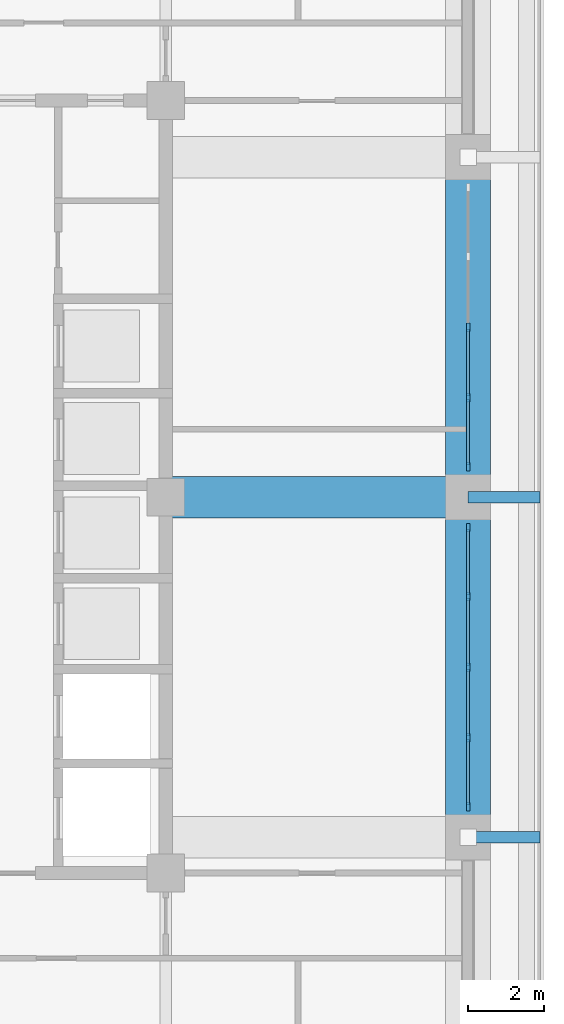
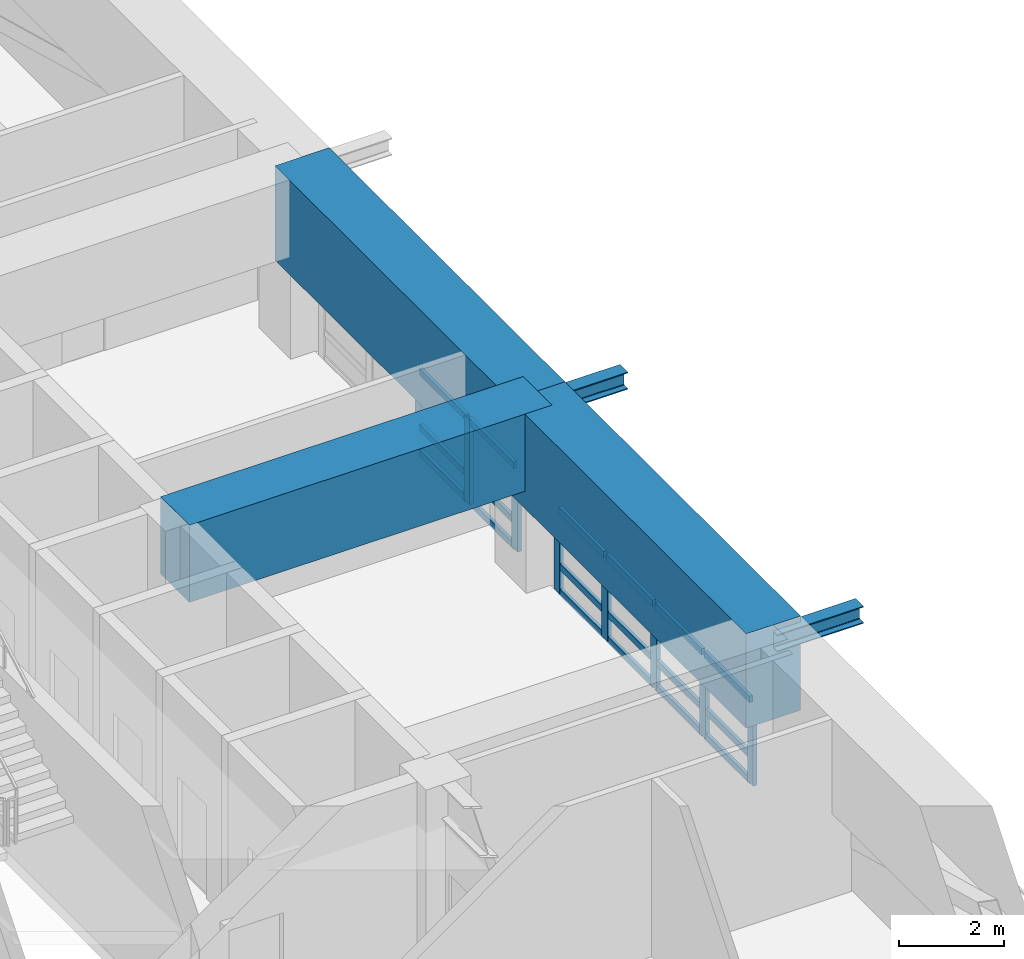
# One storey, part 4 of 21: 26 members, 5 beams, 2 elements without a shape of their own.
"""IFC4 building model written with IfcOpenShell, lengths in metres."""

import ifcopenshell
import ifcopenshell.guid

model = None  # the IFC model being written
_history = None  # IfcOwnerHistory: only IFC2X3 demands one
_inside = {}  # id of a spatial element -> (the spatial element, [elements in it])
_under = {}  # id of a project, library or spatial element -> (it, [spatial elements below it])
_declared = {}  # id of a project -> (the project, [libraries it declares])
_typed = {}  # id of a type object -> (the type object, [elements of that type])
_made_of = {}  # id of a material, layer set ... -> (it, [elements and type objects made of it])


def new_model(schema):
    """Start an empty IFC model of exactly this schema.

    Asked for "IFC4X3", IfcOpenShell would pick the latest addendum, in which some entities
    have other attributes; the version numbers below select the first issue.
    IFC2X3 requires an IfcOwnerHistory on every rooted entity: one is made here for all.
    """
    global model, _history
    if schema == "IFC4X3":
        model = ifcopenshell.file(schema_version=(4, 3, 0, 0))
    else:
        model = ifcopenshell.file(schema=schema)
    _inside.clear()
    _under.clear()
    _declared.clear()
    _typed.clear()
    _made_of.clear()
    _history = None
    if model.schema == "IFC2X3":
        org = make("IfcOrganization", Name="unknown")
        user = make(
            "IfcPersonAndOrganization",
            ThePerson=make("IfcPerson", FamilyName="unknown"),
            TheOrganization=org,
        )
        app = make(
            "IfcApplication",
            ApplicationDeveloper=org,
            Version="unknown",
            ApplicationFullName="unknown",
            ApplicationIdentifier="unknown",
        )
        _history = make(
            "IfcOwnerHistory",
            OwningUser=user,
            OwningApplication=app,
            ChangeAction="ADDED",
            CreationDate=0,
        )
    return model


def make(cls, **values):
    """One entity of the class cls with the attributes given. An attribute that is None is left unset."""
    return model.create_entity(
        cls, **{name: value for name, value in values.items() if value is not None}
    )


def rooted(cls, **values):
    """An entity with a GlobalId (a new one), such as an element, a storey or a relation."""
    return make(cls, GlobalId=ifcopenshell.guid.new(), OwnerHistory=_history, **values)


def si_unit(unit_type, name, prefix=None):
    """IfcSIUnit, for example si_unit("LENGTHUNIT", "METRE", prefix="MILLI")."""
    return make("IfcSIUnit", UnitType=unit_type, Prefix=prefix, Name=name)


def assignment(units):
    """IfcUnitAssignment: the units of a project."""
    return None if units is None else make("IfcUnitAssignment", Units=units)


def point(xyz):
    """IfcCartesianPoint."""
    return None if xyz is None else make("IfcCartesianPoint", Coordinates=xyz)


def direction(xyz):
    """IfcDirection."""
    return None if xyz is None else make("IfcDirection", DirectionRatios=xyz)


def frame(location, z_axis=None, x_axis=None):
    """IfcAxis2Placement3D, a coordinate frame: its origin and axes. An axis left out is left unset."""
    return make(
        "IfcAxis2Placement3D",
        Location=point(location),
        Axis=direction(z_axis),
        RefDirection=direction(x_axis),
    )


def frame_2d(location, x_axis=None):
    """IfcAxis2Placement2D, a coordinate frame in the plane: its origin and x axis."""
    return make(
        "IfcAxis2Placement2D", Location=point(location), RefDirection=direction(x_axis)
    )


def origin():
    """The frame at (0, 0, 0) with its axes left unset."""
    return frame((0.0, 0.0, 0.0))


def origin_2d():
    """The frame at (0, 0) in the plane with its x axis left unset."""
    return frame_2d((0.0, 0.0))


def place(relative_to, where):
    """IfcLocalPlacement: puts the frame where relative to a parent placement (None: the world)."""
    return make(
        "IfcLocalPlacement", PlacementRelTo=relative_to, RelativePlacement=where
    )


def context(
    kind, dimensions, precision=None, world=None, true_north=None, identifier=None
):
    """IfcGeometricRepresentationContext, for example the 3D "Model" context."""
    return make(
        "IfcGeometricRepresentationContext",
        ContextIdentifier=identifier,
        ContextType=kind,
        CoordinateSpaceDimension=dimensions,
        Precision=precision,
        WorldCoordinateSystem=world,
        TrueNorth=true_north,
    )


def subcontext(parent, identifier, kind, view, scale=None):
    """IfcGeometricRepresentationSubContext, for example "Body" below "Model"."""
    return make(
        "IfcGeometricRepresentationSubContext",
        ContextIdentifier=identifier,
        ContextType=kind,
        ParentContext=parent,
        TargetScale=scale,
        TargetView=view,
    )


def project(units=None, contexts=None):
    """IfcProject with its units and contexts."""
    return rooted(
        "IfcProject",
        Name="project",
        RepresentationContexts=contexts,
        UnitsInContext=assignment(units),
    )


def spatial(cls, under=None, at=None, **own):
    """A site, building, storey or space (cls), placed at a placement, below another one or the project."""
    s = rooted(cls, ObjectPlacement=at, **own)
    if under is not None:
        _under.setdefault(under.id(), (under, []))[1].append(s)
    return s


def profile(cls, at=None, kind="AREA", **sizes):
    """A parametric profile (cls). Its sizes go by their IFC names, for example OverallWidth=200.0."""
    return make(cls, ProfileType=kind, Position=at, **sizes)


def rectangle(**sizes):
    """IfcRectangleProfileDef."""
    return profile("IfcRectangleProfileDef", **sizes)


def i_section(**sizes):
    """IfcIShapeProfileDef."""
    return profile("IfcIShapeProfileDef", **sizes)


def extrude(swept, where, along, depth):
    """IfcExtrudedAreaSolid: the profile swept, set in the frame where, extruded along a direction by depth."""
    return make(
        "IfcExtrudedAreaSolid",
        SweptArea=swept,
        Position=where,
        ExtrudedDirection=direction(along),
        Depth=depth,
    )


def shape(context_of_items, identifier, shape_type, items):
    """IfcShapeRepresentation: the items that make up one representation, for example the "Body"."""
    return make(
        "IfcShapeRepresentation",
        ContextOfItems=context_of_items,
        RepresentationIdentifier=identifier,
        RepresentationType=shape_type,
        Items=items,
    )


def material(Name=None, Category=None):
    """IfcMaterial."""
    return make("IfcMaterial", Name=Name, Category=Category)


def material_profile(
    of_material, cross_section, Name=None, Category=None, Priority=None
):
    """IfcMaterialProfile: a cross section and its material."""
    return make(
        "IfcMaterialProfile",
        Name=Name,
        Material=of_material,
        Profile=cross_section,
        Priority=Priority,
        Category=Category,
    )


def profile_set(profiles, Name=None, composite=None):
    """IfcMaterialProfileSet."""
    return make(
        "IfcMaterialProfileSet",
        Name=Name,
        MaterialProfiles=profiles,
        CompositeProfile=composite,
    )


def made_of(thing, what):
    """Note that an element or type object is made of a material, layer set ...; save() writes the relation."""
    if what is not None:
        _made_of.setdefault(what.id(), (what, []))[1].append(thing)
    return thing


def type_object(cls, material=None, **own):
    """A type object (cls), such as IfcWallType, which elements share."""
    return made_of(rooted(cls, **own), material)


def element(
    cls,
    number,
    at=None,
    inside=None,
    cuts=None,
    type_object=None,
    material=None,
    context=None,
    identifier="Body",
    shape_type=None,
    held_by="IfcProductDefinitionShape",
    body=None,
    shapes=None,
    **own,
):
    """One element of the class cls, such as IfcWall. Its Tag is "e" and its number.

    at: its placement. inside: the storey or other place that contains it. cuts: it is an
    opening in that element (IfcRelVoidsElement). A single representation is given by context,
    identifier, shape_type and body (its items); several are given by shapes. held_by: the class
    of the entity that holds the representations. save() writes the other relations.
    """
    e = rooted(cls, Tag="e%d" % number, ObjectPlacement=at, **own)
    if body is not None:
        shapes = [shape(context, identifier, shape_type, body)]
    if shapes is not None:
        e.Representation = make(held_by, Representations=shapes)
    if inside is not None:
        _inside.setdefault(inside.id(), (inside, []))[1].append(e)
    if cuts is not None:
        rooted(
            "IfcRelVoidsElement", RelatingBuildingElement=cuts, RelatedOpeningElement=e
        )
    if type_object is not None:
        _typed.setdefault(type_object.id(), (type_object, []))[1].append(e)
    return made_of(e, material)


def aggregate(whole, parts):
    """IfcRelAggregates: a whole, such as a stair, and the parts it consists of."""
    return rooted("IfcRelAggregates", RelatingObject=whole, RelatedObjects=parts)


def save(model, path):
    """Write the relations noted so far, then the file.

    IfcRelAggregates (storeys below a building ...), IfcRelContainedInSpatialStructure (elements
    in a storey), IfcRelDefinesByType, IfcRelAssociatesMaterial and IfcRelDeclares: one each for
    every whole, place, type object, material and project.
    """
    for whole, parts in _under.values():
        aggregate(whole, parts)
    for where, things in _inside.values():
        rooted(
            "IfcRelContainedInSpatialStructure",
            RelatedElements=things,
            RelatingStructure=where,
        )
    for kind, things in _typed.values():
        rooted("IfcRelDefinesByType", RelatedObjects=things, RelatingType=kind)
    for what, things in _made_of.values():
        rooted("IfcRelAssociatesMaterial", RelatedObjects=things, RelatingMaterial=what)
    for by, libraries in _declared.values():
        rooted("IfcRelDeclares", RelatingContext=by, RelatedDefinitions=libraries)
    model.write(path)


model = new_model("IFC4")

# Units and contexts
model_context = context("Model", 3, precision=1e-05, world=origin(), true_north=direction((0.0, 1.0)))
body_context = subcontext(model_context, "Body", "Model", "MODEL_VIEW")
ifc_project = project(units=[si_unit("LENGTHUNIT", "METRE"), si_unit("AREAUNIT", "SQUARE_METRE"), si_unit("VOLUMEUNIT", "CUBIC_METRE"), si_unit("PLANEANGLEUNIT", "RADIAN"), si_unit("MASSUNIT", "GRAM", prefix="KILO")], contexts=[model_context])

# Site, building, storey
site_placement = place(None, origin())
site = spatial("IfcSite", under=ifc_project, at=site_placement, CompositionType="ELEMENT")
building_placement = place(site_placement, origin())
building = spatial("IfcBuilding", under=site, at=building_placement, Name="Zulmaris Gate Convention Tower", CompositionType="ELEMENT")
storey_placement = place(building_placement, frame((0.0, 0.0, 86.93994140625)))
storey = spatial("IfcBuildingStorey", under=building, at=storey_placement, Name="L21", CompositionType="ELEMENT", Elevation=86.93994140625)

# Beams
ifc_material_1 = material(Name="Steel S355", Category="steel")
ifc_material_profile_1 = material_profile(ifc_material_1, i_section(OverallWidth=0.300048828125, OverallDepth=0.39990234375, WebThickness=0.013427734375, FlangeThickness=0.02392578125, FilletRadius=0.027099609375, at=origin_2d()), Name="HEB 400")
ifc_profile_set_1 = profile_set([ifc_material_profile_1], Name="Steel S355")
beam_type_1 = type_object("IfcBeamType", Name="BM-HEB400", PredefinedType="BEAM", material=ifc_profile_set_1)
for number, where, z_axis, x_axis, name in (
    (1, (28.0, -9.0, 3.830078125), (1.0, 0.0, 0.0), (0.0, 1.0, 0.0), "L21 Beam TBRK-L21-E--9"),
    (2, (28.0, 0.0, 3.830078125), (1.0, 0.0, 0.0), (0.0, 1.0, 0.0), "L21 Beam TBRK-L21-E-+0"),
):
    element("IfcBeam", number, at=place(storey_placement, frame(where, z_axis=z_axis, x_axis=x_axis)), inside=storey, type_object=beam_type_1, Name=name, PredefinedType="BEAM", context=body_context, shape_type="SweptSolid", body=[
        extrude(i_section(OverallWidth=0.300048828125, OverallDepth=0.39990234375, WebThickness=0.013427734375, FlangeThickness=0.02392578125, FilletRadius=0.027099609375, at=origin_2d()), origin(), (0.0, 0.0, 1.0), 1.89990234375),
    ])
ifc_material_2 = material(Name="Concrete C80/95", Category="concrete")
ifc_material_profile_2 = material_profile(ifc_material_2, rectangle(XDim=1.10009765625, YDim=1.800048828125, at=origin_2d()), Name="RC TRANSFER 1100x1800")
ifc_profile_set_2 = profile_set([ifc_material_profile_2], Name="Concrete C80/95")
beam_type_2 = type_object("IfcBeamType", Name="BM-XFER1800", PredefinedType="BEAM", material=ifc_profile_set_2)
beam_placement = place(storey_placement, frame((20.0, 0.0, 3.27001953125), z_axis=(1.0, 0.0, 0.0), x_axis=(0.0, 1.0, 0.0)))
element("IfcBeam", 3, at=beam_placement, inside=storey, type_object=beam_type_2, Name="L21 Beam BM-L21-G20", PredefinedType="BEAM", context=body_context, shape_type="SweptSolid", body=[
    extrude(rectangle(XDim=1.10009765625, YDim=1.800048828125, at=origin_2d()), origin(), (0.0, 0.0, 1.0), 8.0),
])
ifc_material_profile_3 = material_profile(ifc_material_2, rectangle(XDim=1.199951171875, YDim=2.199951171875, at=origin_2d()), Name="RC TRANSFER 1200x2200")
ifc_profile_set_3 = profile_set([ifc_material_profile_3], Name="Concrete C80/95")
beam_type_3 = type_object("IfcBeamType", Name="BM-XFER2200", PredefinedType="BEAM", material=ifc_profile_set_3)
for number, where, z_axis, x_axis, name in (
    (4, (28.0, -9.0, 3.070068359375), (0.0, 1.0, 0.0), (-1.0, 0.0, 0.0), "L21 Beam SP-L21-08"),
    (5, (28.0, 0.0, 3.070068359375), (0.0, 1.0, 0.0), (-1.0, 0.0, 0.0), "L21 Beam SP-L21-09"),
):
    element("IfcBeam", number, at=place(storey_placement, frame(where, z_axis=z_axis, x_axis=x_axis)), inside=storey, type_object=beam_type_3, Name=name, PredefinedType="BEAM", context=body_context, shape_type="SweptSolid", body=[
        extrude(rectangle(XDim=1.199951171875, YDim=2.199951171875, at=origin_2d()), origin(), (0.0, 0.0, 1.0), 9.0),
    ])

# Curtain wall, members
ifc_material_3 = material(Name="Anodised Aluminium", Category="aluminium")
curtain_wall_type = type_object("IfcCurtainWallType", Name="CW-04", PredefinedType="NOTDEFINED", material=ifc_material_3)
curtain_wall_1_placement = place(storey_placement, origin())
curtain_wall_1 = element("IfcCurtainWall", 6, at=curtain_wall_1_placement, inside=storey, type_object=curtain_wall_type, Name="CW-04 CW04-L21-E-1_0", PredefinedType="NOTDEFINED")
ifc_material_profile_4 = material_profile(ifc_material_3, rectangle(XDim=0.090087890625, YDim=0.219970703125, at=origin_2d()), Name="ALU MULLION 90x220")
ifc_profile_set_4 = profile_set([ifc_material_profile_4], Name="Anodised Aluminium")
member_type_1 = type_object("IfcMemberType", Name="CW-04-MULL", PredefinedType="MULLION", material=ifc_profile_set_4)
member_1_placement = place(storey_placement, frame((28.0, -8.195068359375, 0.0), z_axis=(0.0, 0.0, 1.0), x_axis=(-1.0, 0.0, 0.0)))
member_1 = element("IfcMember", 7, at=member_1_placement, type_object=member_type_1, Name="CW-04 mullion 1", PredefinedType="MULLION", context=body_context, shape_type="SweptSolid", body=[
    extrude(rectangle(XDim=0.090087890625, YDim=0.219970703125, at=origin_2d()), origin(), (0.0, 0.0, 1.0), 1.9619140625),
])
member_2_placement = place(storey_placement, frame((28.0, -6.3701171875, 0.0), z_axis=(0.0, 0.0, 1.0), x_axis=(-1.0, 0.0, 0.0)))
member_2 = element("IfcMember", 8, at=member_2_placement, type_object=member_type_1, Name="CW-04 mullion 2", PredefinedType="MULLION", context=body_context, shape_type="SweptSolid", body=[
    extrude(rectangle(XDim=0.090087890625, YDim=0.219970703125, at=origin_2d()), origin(), (0.0, 0.0, 1.0), 1.9619140625),
])
member_3_placement = place(storey_placement, frame((28.0, -4.5, 0.0), z_axis=(0.0, 0.0, 1.0), x_axis=(-1.0, 0.0, 0.0)))
member_3 = element("IfcMember", 9, at=member_3_placement, type_object=member_type_1, Name="CW-04 mullion 3", PredefinedType="MULLION", context=body_context, shape_type="SweptSolid", body=[
    extrude(rectangle(XDim=0.090087890625, YDim=0.219970703125, at=origin_2d()), origin(), (0.0, 0.0, 1.0), 1.9619140625),
])
member_4_placement = place(storey_placement, frame((28.0, -2.6298828125, 0.0), z_axis=(0.0, 0.0, 1.0), x_axis=(-1.0, 0.0, 0.0)))
member_4 = element("IfcMember", 10, at=member_4_placement, type_object=member_type_1, Name="CW-04 mullion 4", PredefinedType="MULLION", context=body_context, shape_type="SweptSolid", body=[
    extrude(rectangle(XDim=0.090087890625, YDim=0.219970703125, at=origin_2d()), origin(), (0.0, 0.0, 1.0), 1.9619140625),
])
member_5_placement = place(storey_placement, frame((28.0, -0.804931640625, 0.0), z_axis=(0.0, 0.0, 1.0), x_axis=(-1.0, 0.0, 0.0)))
member_5 = element("IfcMember", 11, at=member_5_placement, type_object=member_type_1, Name="CW-04 mullion 5", PredefinedType="MULLION", context=body_context, shape_type="SweptSolid", body=[
    extrude(rectangle(XDim=0.090087890625, YDim=0.219970703125, at=origin_2d()), origin(), (0.0, 0.0, 1.0), 1.9619140625),
])

curtain_wall_2_placement = place(storey_placement, origin())
curtain_wall_2 = element("IfcCurtainWall", 12, at=curtain_wall_2_placement, inside=storey, type_object=curtain_wall_type, Name="CW-04 CW04-L21-E-2_0", PredefinedType="NOTDEFINED")
member_6_placement = place(storey_placement, frame((28.0, 0.804931640625, 0.0), z_axis=(0.0, 0.0, 1.0), x_axis=(-1.0, 0.0, 0.0)))
member_6 = element("IfcMember", 13, at=member_6_placement, type_object=member_type_1, Name="CW-04 mullion 1", PredefinedType="MULLION", context=body_context, shape_type="SweptSolid", body=[
    extrude(rectangle(XDim=0.090087890625, YDim=0.219970703125, at=origin_2d()), origin(), (0.0, 0.0, 1.0), 1.9619140625),
])
member_7_placement = place(storey_placement, frame((28.0, 2.6298828125, 0.0), z_axis=(0.0, 0.0, 1.0), x_axis=(-1.0, 0.0, 0.0)))
member_7 = element("IfcMember", 14, at=member_7_placement, type_object=member_type_1, Name="CW-04 mullion 2", PredefinedType="MULLION", context=body_context, shape_type="SweptSolid", body=[
    extrude(rectangle(XDim=0.090087890625, YDim=0.219970703125, at=origin_2d()), origin(), (0.0, 0.0, 1.0), 1.9619140625),
])
member_8_placement = place(storey_placement, frame((28.0, 4.5, 0.0), z_axis=(0.0, 0.0, 1.0), x_axis=(-1.0, 0.0, 0.0)))
member_8 = element("IfcMember", 15, at=member_8_placement, type_object=member_type_1, Name="CW-04 mullion 3", PredefinedType="MULLION", context=body_context, shape_type="SweptSolid", body=[
    extrude(rectangle(XDim=0.090087890625, YDim=0.219970703125, at=origin_2d()), origin(), (0.0, 0.0, 1.0), 1.9619140625),
])

# Member
ifc_material_profile_5 = material_profile(ifc_material_3, rectangle(XDim=0.074951171875, YDim=0.14990234375, at=origin_2d()), Name="ALU TRANSOM 75x150")
ifc_profile_set_5 = profile_set([ifc_material_profile_5], Name="Anodised Aluminium")
member_type_2 = type_object("IfcMemberType", Name="CW-04-TRAN", PredefinedType="USERDEFINED", material=ifc_profile_set_5)
member_9_placement = place(storey_placement, frame((28.0, -8.14990234375, 0.037353515625), z_axis=(0.0, 1.0, 0.0), x_axis=(-1.0, 0.0, 0.0)))
member_9 = element("IfcMember", 16, at=member_9_placement, type_object=member_type_2, Name="CW-04 transom 1.1", ObjectType="TRANSOM", PredefinedType="USERDEFINED", context=body_context, shape_type="SweptSolid", body=[
    extrude(rectangle(XDim=0.074951171875, YDim=0.14990234375, at=origin_2d()), origin(), (0.0, 0.0, 1.0), 1.73486328125),
])

member_10_placement = place(storey_placement, frame((28.0, -8.14990234375, 0.627685546875), z_axis=(0.0, 1.0, 0.0), x_axis=(-1.0, 0.0, 0.0)))
member_10 = element("IfcMember", 17, at=member_10_placement, type_object=member_type_2, Name="CW-04 transom 1.2", ObjectType="TRANSOM", PredefinedType="USERDEFINED", context=body_context, shape_type="SweptSolid", body=[
    extrude(rectangle(XDim=0.074951171875, YDim=0.14990234375, at=origin_2d()), origin(), (0.0, 0.0, 1.0), 1.73486328125),
])

member_11_placement = place(storey_placement, frame((28.0, -8.14990234375, 1.924560546875), z_axis=(0.0, 1.0, 0.0), x_axis=(-1.0, 0.0, 0.0)))
member_11 = element("IfcMember", 18, at=member_11_placement, type_object=member_type_2, Name="CW-04 transom 1.3", ObjectType="TRANSOM", PredefinedType="USERDEFINED", context=body_context, shape_type="SweptSolid", body=[
    extrude(rectangle(XDim=0.074951171875, YDim=0.14990234375, at=origin_2d()), origin(), (0.0, 0.0, 1.0), 1.73486328125),
])

member_12_placement = place(storey_placement, frame((28.0, -6.324951171875, 0.037353515625), z_axis=(0.0, 1.0, 0.0), x_axis=(-1.0, 0.0, 0.0)))
member_12 = element("IfcMember", 19, at=member_12_placement, type_object=member_type_2, Name="CW-04 transom 2.1", ObjectType="TRANSOM", PredefinedType="USERDEFINED", context=body_context, shape_type="SweptSolid", body=[
    extrude(rectangle(XDim=0.074951171875, YDim=0.14990234375, at=origin_2d()), origin(), (0.0, 0.0, 1.0), 1.780029296875),
])

member_13_placement = place(storey_placement, frame((28.0, -6.324951171875, 0.627685546875), z_axis=(0.0, 1.0, 0.0), x_axis=(-1.0, 0.0, 0.0)))
member_13 = element("IfcMember", 20, at=member_13_placement, type_object=member_type_2, Name="CW-04 transom 2.2", ObjectType="TRANSOM", PredefinedType="USERDEFINED", context=body_context, shape_type="SweptSolid", body=[
    extrude(rectangle(XDim=0.074951171875, YDim=0.14990234375, at=origin_2d()), origin(), (0.0, 0.0, 1.0), 1.780029296875),
])

member_14_placement = place(storey_placement, frame((28.0, -6.324951171875, 1.924560546875), z_axis=(0.0, 1.0, 0.0), x_axis=(-1.0, 0.0, 0.0)))
member_14 = element("IfcMember", 21, at=member_14_placement, type_object=member_type_2, Name="CW-04 transom 2.3", ObjectType="TRANSOM", PredefinedType="USERDEFINED", context=body_context, shape_type="SweptSolid", body=[
    extrude(rectangle(XDim=0.074951171875, YDim=0.14990234375, at=origin_2d()), origin(), (0.0, 0.0, 1.0), 1.780029296875),
])

member_15_placement = place(storey_placement, frame((28.0, -4.455078125, 0.037353515625), z_axis=(0.0, 1.0, 0.0), x_axis=(-1.0, 0.0, 0.0)))
member_15 = element("IfcMember", 22, at=member_15_placement, type_object=member_type_2, Name="CW-04 transom 3.1", ObjectType="TRANSOM", PredefinedType="USERDEFINED", context=body_context, shape_type="SweptSolid", body=[
    extrude(rectangle(XDim=0.074951171875, YDim=0.14990234375, at=origin_2d()), origin(), (0.0, 0.0, 1.0), 1.780029296875),
])

member_16_placement = place(storey_placement, frame((28.0, -4.455078125, 0.627685546875), z_axis=(0.0, 1.0, 0.0), x_axis=(-1.0, 0.0, 0.0)))
member_16 = element("IfcMember", 23, at=member_16_placement, type_object=member_type_2, Name="CW-04 transom 3.2", ObjectType="TRANSOM", PredefinedType="USERDEFINED", context=body_context, shape_type="SweptSolid", body=[
    extrude(rectangle(XDim=0.074951171875, YDim=0.14990234375, at=origin_2d()), origin(), (0.0, 0.0, 1.0), 1.780029296875),
])

member_17_placement = place(storey_placement, frame((28.0, -4.455078125, 1.924560546875), z_axis=(0.0, 1.0, 0.0), x_axis=(-1.0, 0.0, 0.0)))
member_17 = element("IfcMember", 24, at=member_17_placement, type_object=member_type_2, Name="CW-04 transom 3.3", ObjectType="TRANSOM", PredefinedType="USERDEFINED", context=body_context, shape_type="SweptSolid", body=[
    extrude(rectangle(XDim=0.074951171875, YDim=0.14990234375, at=origin_2d()), origin(), (0.0, 0.0, 1.0), 1.780029296875),
])

member_18_placement = place(storey_placement, frame((28.0, -2.5849609375, 0.037353515625), z_axis=(0.0, 1.0, 0.0), x_axis=(-1.0, 0.0, 0.0)))
member_18 = element("IfcMember", 25, at=member_18_placement, type_object=member_type_2, Name="CW-04 transom 4.1", ObjectType="TRANSOM", PredefinedType="USERDEFINED", context=body_context, shape_type="SweptSolid", body=[
    extrude(rectangle(XDim=0.074951171875, YDim=0.14990234375, at=origin_2d()), origin(), (0.0, 0.0, 1.0), 1.73486328125),
])

member_19_placement = place(storey_placement, frame((28.0, -2.5849609375, 0.627685546875), z_axis=(0.0, 1.0, 0.0), x_axis=(-1.0, 0.0, 0.0)))
member_19 = element("IfcMember", 26, at=member_19_placement, type_object=member_type_2, Name="CW-04 transom 4.2", ObjectType="TRANSOM", PredefinedType="USERDEFINED", context=body_context, shape_type="SweptSolid", body=[
    extrude(rectangle(XDim=0.074951171875, YDim=0.14990234375, at=origin_2d()), origin(), (0.0, 0.0, 1.0), 1.73486328125),
])

member_20_placement = place(storey_placement, frame((28.0, -2.5849609375, 1.924560546875), z_axis=(0.0, 1.0, 0.0), x_axis=(-1.0, 0.0, 0.0)))
member_20 = element("IfcMember", 27, at=member_20_placement, type_object=member_type_2, Name="CW-04 transom 4.3", ObjectType="TRANSOM", PredefinedType="USERDEFINED", context=body_context, shape_type="SweptSolid", body=[
    extrude(rectangle(XDim=0.074951171875, YDim=0.14990234375, at=origin_2d()), origin(), (0.0, 0.0, 1.0), 1.73486328125),
])

aggregate(curtain_wall_1, [member_1, member_2, member_3, member_4, member_5, member_9, member_10, member_11, member_12, member_13, member_14, member_15, member_16, member_17, member_18, member_19, member_20])

member_21_placement = place(storey_placement, frame((28.0, 0.85009765625, 0.037353515625), z_axis=(0.0, 1.0, 0.0), x_axis=(-1.0, 0.0, 0.0)))
member_21 = element("IfcMember", 28, at=member_21_placement, type_object=member_type_2, Name="CW-04 transom 1.1", ObjectType="TRANSOM", PredefinedType="USERDEFINED", context=body_context, shape_type="SweptSolid", body=[
    extrude(rectangle(XDim=0.074951171875, YDim=0.14990234375, at=origin_2d()), origin(), (0.0, 0.0, 1.0), 1.73486328125),
])

member_22_placement = place(storey_placement, frame((28.0, 0.85009765625, 0.627685546875), z_axis=(0.0, 1.0, 0.0), x_axis=(-1.0, 0.0, 0.0)))
member_22 = element("IfcMember", 29, at=member_22_placement, type_object=member_type_2, Name="CW-04 transom 1.2", ObjectType="TRANSOM", PredefinedType="USERDEFINED", context=body_context, shape_type="SweptSolid", body=[
    extrude(rectangle(XDim=0.074951171875, YDim=0.14990234375, at=origin_2d()), origin(), (0.0, 0.0, 1.0), 1.73486328125),
])

member_23_placement = place(storey_placement, frame((28.0, 0.85009765625, 1.924560546875), z_axis=(0.0, 1.0, 0.0), x_axis=(-1.0, 0.0, 0.0)))
member_23 = element("IfcMember", 30, at=member_23_placement, type_object=member_type_2, Name="CW-04 transom 1.3", ObjectType="TRANSOM", PredefinedType="USERDEFINED", context=body_context, shape_type="SweptSolid", body=[
    extrude(rectangle(XDim=0.074951171875, YDim=0.14990234375, at=origin_2d()), origin(), (0.0, 0.0, 1.0), 1.73486328125),
])

member_24_placement = place(storey_placement, frame((28.0, 2.675048828125, 0.037353515625), z_axis=(0.0, 1.0, 0.0), x_axis=(-1.0, 0.0, 0.0)))
member_24 = element("IfcMember", 31, at=member_24_placement, type_object=member_type_2, Name="CW-04 transom 2.1", ObjectType="TRANSOM", PredefinedType="USERDEFINED", context=body_context, shape_type="SweptSolid", body=[
    extrude(rectangle(XDim=0.074951171875, YDim=0.14990234375, at=origin_2d()), origin(), (0.0, 0.0, 1.0), 1.780029296875),
])

member_25_placement = place(storey_placement, frame((28.0, 2.675048828125, 0.627685546875), z_axis=(0.0, 1.0, 0.0), x_axis=(-1.0, 0.0, 0.0)))
member_25 = element("IfcMember", 32, at=member_25_placement, type_object=member_type_2, Name="CW-04 transom 2.2", ObjectType="TRANSOM", PredefinedType="USERDEFINED", context=body_context, shape_type="SweptSolid", body=[
    extrude(rectangle(XDim=0.074951171875, YDim=0.14990234375, at=origin_2d()), origin(), (0.0, 0.0, 1.0), 1.780029296875),
])

member_26_placement = place(storey_placement, frame((28.0, 2.675048828125, 1.924560546875), z_axis=(0.0, 1.0, 0.0), x_axis=(-1.0, 0.0, 0.0)))
member_26 = element("IfcMember", 33, at=member_26_placement, type_object=member_type_2, Name="CW-04 transom 2.3", ObjectType="TRANSOM", PredefinedType="USERDEFINED", context=body_context, shape_type="SweptSolid", body=[
    extrude(rectangle(XDim=0.074951171875, YDim=0.14990234375, at=origin_2d()), origin(), (0.0, 0.0, 1.0), 1.780029296875),
])

aggregate(curtain_wall_2, [member_6, member_7, member_8, member_21, member_22, member_23, member_24, member_25, member_26])

save(model, "model.ifc")
